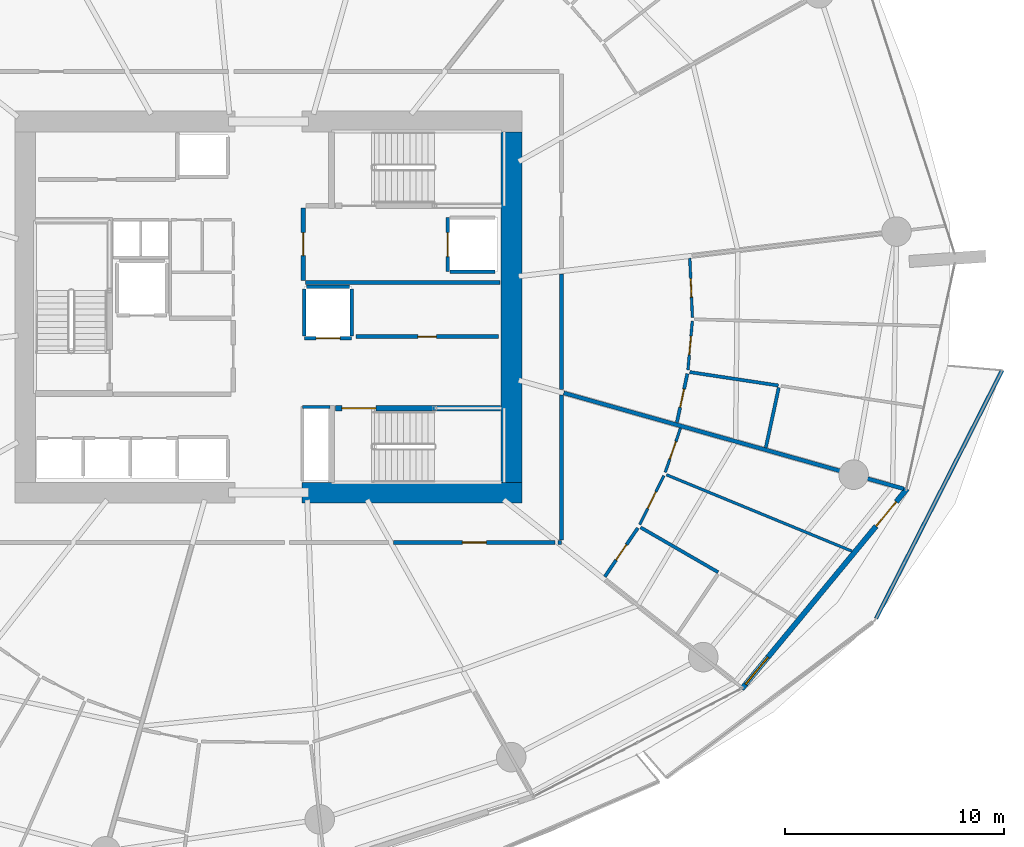
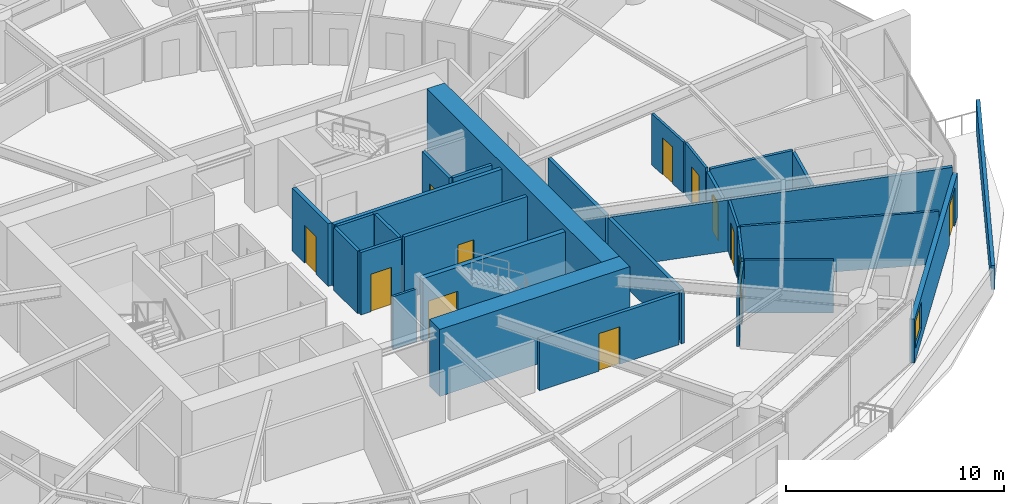
# One storey, part 21 of 31: 30 walls, 13 doors, 1 window, 14 openings.
"""IFC4 building model written with IfcOpenShell, lengths in metres."""

import ifcopenshell
import ifcopenshell.guid

model = None  # the IFC model being written
_history = None  # IfcOwnerHistory: only IFC2X3 demands one
_inside = {}  # id of a spatial element -> (the spatial element, [elements in it])
_under = {}  # id of a project, library or spatial element -> (it, [spatial elements below it])
_declared = {}  # id of a project -> (the project, [libraries it declares])
_typed = {}  # id of a type object -> (the type object, [elements of that type])
_made_of = {}  # id of a material, layer set ... -> (it, [elements and type objects made of it])


def new_model(schema):
    """Start an empty IFC model of exactly this schema.

    Asked for "IFC4X3", IfcOpenShell would pick the latest addendum, in which some entities
    have other attributes; the version numbers below select the first issue.
    IFC2X3 requires an IfcOwnerHistory on every rooted entity: one is made here for all.
    """
    global model, _history
    if schema == "IFC4X3":
        model = ifcopenshell.file(schema_version=(4, 3, 0, 0))
    else:
        model = ifcopenshell.file(schema=schema)
    _inside.clear()
    _under.clear()
    _declared.clear()
    _typed.clear()
    _made_of.clear()
    _history = None
    if model.schema == "IFC2X3":
        org = make("IfcOrganization", Name="unknown")
        user = make(
            "IfcPersonAndOrganization",
            ThePerson=make("IfcPerson", FamilyName="unknown"),
            TheOrganization=org,
        )
        app = make(
            "IfcApplication",
            ApplicationDeveloper=org,
            Version="unknown",
            ApplicationFullName="unknown",
            ApplicationIdentifier="unknown",
        )
        _history = make(
            "IfcOwnerHistory",
            OwningUser=user,
            OwningApplication=app,
            ChangeAction="ADDED",
            CreationDate=0,
        )
    return model


def make(cls, **values):
    """One entity of the class cls with the attributes given. An attribute that is None is left unset."""
    return model.create_entity(
        cls, **{name: value for name, value in values.items() if value is not None}
    )


def rooted(cls, **values):
    """An entity with a GlobalId (a new one), such as an element, a storey or a relation."""
    return make(cls, GlobalId=ifcopenshell.guid.new(), OwnerHistory=_history, **values)


def si_unit(unit_type, name, prefix=None):
    """IfcSIUnit, for example si_unit("LENGTHUNIT", "METRE", prefix="MILLI")."""
    return make("IfcSIUnit", UnitType=unit_type, Prefix=prefix, Name=name)


def assignment(units):
    """IfcUnitAssignment: the units of a project."""
    return None if units is None else make("IfcUnitAssignment", Units=units)


def point(xyz):
    """IfcCartesianPoint."""
    return None if xyz is None else make("IfcCartesianPoint", Coordinates=xyz)


def direction(xyz):
    """IfcDirection."""
    return None if xyz is None else make("IfcDirection", DirectionRatios=xyz)


def frame(location, z_axis=None, x_axis=None):
    """IfcAxis2Placement3D, a coordinate frame: its origin and axes. An axis left out is left unset."""
    return make(
        "IfcAxis2Placement3D",
        Location=point(location),
        Axis=direction(z_axis),
        RefDirection=direction(x_axis),
    )


def frame_2d(location, x_axis=None):
    """IfcAxis2Placement2D, a coordinate frame in the plane: its origin and x axis."""
    return make(
        "IfcAxis2Placement2D", Location=point(location), RefDirection=direction(x_axis)
    )


def origin():
    """The frame at (0, 0, 0) with its axes left unset."""
    return frame((0.0, 0.0, 0.0))


def place(relative_to, where):
    """IfcLocalPlacement: puts the frame where relative to a parent placement (None: the world)."""
    return make(
        "IfcLocalPlacement", PlacementRelTo=relative_to, RelativePlacement=where
    )


def context(
    kind, dimensions, precision=None, world=None, true_north=None, identifier=None
):
    """IfcGeometricRepresentationContext, for example the 3D "Model" context."""
    return make(
        "IfcGeometricRepresentationContext",
        ContextIdentifier=identifier,
        ContextType=kind,
        CoordinateSpaceDimension=dimensions,
        Precision=precision,
        WorldCoordinateSystem=world,
        TrueNorth=true_north,
    )


def subcontext(parent, identifier, kind, view, scale=None):
    """IfcGeometricRepresentationSubContext, for example "Body" below "Model"."""
    return make(
        "IfcGeometricRepresentationSubContext",
        ContextIdentifier=identifier,
        ContextType=kind,
        ParentContext=parent,
        TargetScale=scale,
        TargetView=view,
    )


def project(units=None, contexts=None):
    """IfcProject with its units and contexts."""
    return rooted(
        "IfcProject",
        Name="project",
        RepresentationContexts=contexts,
        UnitsInContext=assignment(units),
    )


def spatial(cls, under=None, at=None, **own):
    """A site, building, storey or space (cls), placed at a placement, below another one or the project."""
    s = rooted(cls, ObjectPlacement=at, **own)
    if under is not None:
        _under.setdefault(under.id(), (under, []))[1].append(s)
    return s


def polyline(points):
    """IfcPolyline through the points."""
    return make("IfcPolyline", Points=[point(p) for p in points])


def profile(cls, at=None, kind="AREA", **sizes):
    """A parametric profile (cls). Its sizes go by their IFC names, for example OverallWidth=200.0."""
    return make(cls, ProfileType=kind, Position=at, **sizes)


def rectangle(**sizes):
    """IfcRectangleProfileDef."""
    return profile("IfcRectangleProfileDef", **sizes)


def outline(outer, holes=None, kind="AREA"):
    """IfcArbitraryClosedProfileDef: a profile drawn as a closed curve; with holes, ...WithVoids."""
    if holes is None:
        return make("IfcArbitraryClosedProfileDef", ProfileType=kind, OuterCurve=outer)
    return make(
        "IfcArbitraryProfileDefWithVoids",
        ProfileType=kind,
        OuterCurve=outer,
        InnerCurves=holes,
    )


def extrude(swept, where, along, depth):
    """IfcExtrudedAreaSolid: the profile swept, set in the frame where, extruded along a direction by depth."""
    return make(
        "IfcExtrudedAreaSolid",
        SweptArea=swept,
        Position=where,
        ExtrudedDirection=direction(along),
        Depth=depth,
    )


def shape(context_of_items, identifier, shape_type, items):
    """IfcShapeRepresentation: the items that make up one representation, for example the "Body"."""
    return make(
        "IfcShapeRepresentation",
        ContextOfItems=context_of_items,
        RepresentationIdentifier=identifier,
        RepresentationType=shape_type,
        Items=items,
    )


def material(Name=None, Category=None):
    """IfcMaterial."""
    return make("IfcMaterial", Name=Name, Category=Category)


def layer(
    of_material, thickness, ventilated=None, Name=None, Category=None, Priority=None
):
    """IfcMaterialLayer: one layer of a wall or slab, of a material (None: an air gap)."""
    return make(
        "IfcMaterialLayer",
        Material=of_material,
        LayerThickness=thickness,
        IsVentilated=ventilated,
        Name=Name,
        Category=Category,
        Priority=Priority,
    )


def layer_set(layers, Name=None):
    """IfcMaterialLayerSet."""
    return make("IfcMaterialLayerSet", MaterialLayers=layers, LayerSetName=Name)


def made_of(thing, what):
    """Note that an element or type object is made of a material, layer set ...; save() writes the relation."""
    if what is not None:
        _made_of.setdefault(what.id(), (what, []))[1].append(thing)
    return thing


def type_object(cls, material=None, **own):
    """A type object (cls), such as IfcWallType, which elements share."""
    return made_of(rooted(cls, **own), material)


def element(
    cls,
    number,
    at=None,
    inside=None,
    cuts=None,
    type_object=None,
    material=None,
    context=None,
    identifier="Body",
    shape_type=None,
    held_by="IfcProductDefinitionShape",
    body=None,
    shapes=None,
    **own,
):
    """One element of the class cls, such as IfcWall. Its Tag is "e" and its number.

    at: its placement. inside: the storey or other place that contains it. cuts: it is an
    opening in that element (IfcRelVoidsElement). A single representation is given by context,
    identifier, shape_type and body (its items); several are given by shapes. held_by: the class
    of the entity that holds the representations. save() writes the other relations.
    """
    e = rooted(cls, Tag="e%d" % number, ObjectPlacement=at, **own)
    if body is not None:
        shapes = [shape(context, identifier, shape_type, body)]
    if shapes is not None:
        e.Representation = make(held_by, Representations=shapes)
    if inside is not None:
        _inside.setdefault(inside.id(), (inside, []))[1].append(e)
    if cuts is not None:
        rooted(
            "IfcRelVoidsElement", RelatingBuildingElement=cuts, RelatedOpeningElement=e
        )
    if type_object is not None:
        _typed.setdefault(type_object.id(), (type_object, []))[1].append(e)
    return made_of(e, material)


def fill(opening, filler):
    """IfcRelFillsElement: the door or window that sits in an opening."""
    return rooted(
        "IfcRelFillsElement",
        RelatingOpeningElement=opening,
        RelatedBuildingElement=filler,
    )


def aggregate(whole, parts):
    """IfcRelAggregates: a whole, such as a stair, and the parts it consists of."""
    return rooted("IfcRelAggregates", RelatingObject=whole, RelatedObjects=parts)


def save(model, path):
    """Write the relations noted so far, then the file.

    IfcRelAggregates (storeys below a building ...), IfcRelContainedInSpatialStructure (elements
    in a storey), IfcRelDefinesByType, IfcRelAssociatesMaterial and IfcRelDeclares: one each for
    every whole, place, type object, material and project.
    """
    for whole, parts in _under.values():
        aggregate(whole, parts)
    for where, things in _inside.values():
        rooted(
            "IfcRelContainedInSpatialStructure",
            RelatedElements=things,
            RelatingStructure=where,
        )
    for kind, things in _typed.values():
        rooted("IfcRelDefinesByType", RelatedObjects=things, RelatingType=kind)
    for what, things in _made_of.values():
        rooted("IfcRelAssociatesMaterial", RelatedObjects=things, RelatingMaterial=what)
    for by, libraries in _declared.values():
        rooted("IfcRelDeclares", RelatingContext=by, RelatedDefinitions=libraries)
    model.write(path)


model = new_model("IFC4")

# Units and contexts
model_context = context("Model", 3, precision=1e-05, world=origin(), true_north=direction((0.0, 1.0)))
body_context = subcontext(model_context, "Body", "Model", "MODEL_VIEW")
ifc_project = project(units=[si_unit("LENGTHUNIT", "METRE"), si_unit("AREAUNIT", "SQUARE_METRE"), si_unit("VOLUMEUNIT", "CUBIC_METRE"), si_unit("PLANEANGLEUNIT", "RADIAN"), si_unit("MASSUNIT", "GRAM", prefix="KILO")], contexts=[model_context])

# Site, building, storey
site_placement = place(None, origin())
site = spatial("IfcSite", under=ifc_project, at=site_placement, CompositionType="ELEMENT")
building_placement = place(site_placement, origin())
building = spatial("IfcBuilding", under=site, at=building_placement, Name="Kazma Halo Residences", CompositionType="ELEMENT")
storey_placement = place(building_placement, frame((0.0, 0.0, 52.64990234375)))
storey = spatial("IfcBuildingStorey", under=building, at=storey_placement, Name="L12", CompositionType="ELEMENT", Elevation=52.64990234375)

# Walls
ifc_material_1 = material(Name="White Concrete C50/60 Balustrade", Category="concrete")
ifc_layer_1 = layer(ifc_material_1, 0.179931640625)
ifc_layer_set_1 = layer_set([ifc_layer_1], Name="White Concrete C50/60 Balustrade")
wall_type_1 = type_object("IfcWallType", Name="WL-BAL-WAVE-180", PredefinedType="PARAPET", material=ifc_layer_set_1)
wall_1_placement = place(storey_placement, frame((76.16650390625, 27.783203125, 0.0), z_axis=(0.0, 0.0, 1.0), x_axis=(0.452795448166, 0.891614424581, 0.0)))
element("IfcWall", 1, at=wall_1_placement, inside=storey, type_object=wall_type_1, Name="L12 white wave balustrade wall SE.2", PredefinedType="PARAPET", context=body_context, shape_type="SweptSolid", body=[
    extrude(outline(polyline([(0.0, 0.0), (12.716796875, 0.0), (12.716796875, 1.7470703125), (6.3583984375, 1.56201171875), (0.0, 1.34814453125), (0.0, 0.0)])), frame((0.0, 0.08984375, 0.0), z_axis=(0.0, -1.0, 0.0), x_axis=(1.0, 0.0, 0.0)), (0.0, 0.0, 1.0), 0.179931640625),
])
ifc_material_2 = material(Name="Concrete C80/95", Category="concrete")
ifc_layer_2 = layer(ifc_material_2, 0.949951171875)
ifc_layer_set_2 = layer_set([ifc_layer_2], Name="Concrete C80/95")
wall_type_2 = type_object("IfcWallType", Name="WL-CORE-950", PredefinedType="SHEAR", material=ifc_layer_set_2)
wall_2_placement = place(storey_placement, frame((49.949951171875, 33.52490234375, 0.0), z_axis=(0.0, 0.0, 1.0), x_axis=(1.0, 0.0, 0.0)))
element("IfcWall", 2, at=wall_2_placement, inside=storey, type_object=wall_type_2, Name="L12 central core shear wall SE", PredefinedType="SHEAR", context=body_context, shape_type="SweptSolid", body=[
    extrude(rectangle(XDim=10.050048828125, YDim=0.949951171875, at=frame_2d((5.02490234375, 0.0))), origin(), (0.0, 0.0, 1.0), 3.75),
])
wall_3_placement = place(storey_placement, frame((59.52490234375, 34.0, 0.0), z_axis=(0.0, 0.0, 1.0), x_axis=(0.0, 1.0, 0.0)))
element("IfcWall", 3, at=wall_3_placement, inside=storey, type_object=wall_type_2, Name="L12 central core shear wall E", PredefinedType="SHEAR", context=body_context, shape_type="SweptSolid", body=[
    extrude(rectangle(XDim=16.0, YDim=0.949951171875, at=frame_2d((8.0, 0.0))), origin(), (0.0, 0.0, 1.0), 3.75),
])
ifc_material_3 = material(Name="Acoustic Twin-Stud Gypsum")
ifc_layer_3 = layer(ifc_material_3, 0.179931640625)
ifc_layer_set_3 = layer_set([ifc_layer_3], Name="Acoustic Twin-Stud Gypsum")
wall_type_3 = type_object("IfcWallType", Name="WL-DEM-180", PredefinedType="PARTITIONING", material=ifc_layer_set_3)
wall_4_placement = place(storey_placement, frame((61.906005859375, 38.078125, 0.0), z_axis=(0.0, 0.0, 1.0), x_axis=(0.962455862511, -0.271438230022, 0.0)))
element("IfcWall", 4, at=wall_4_placement, inside=storey, type_object=wall_type_3, Name="L12 apartment demising radial wall 14", PredefinedType="PARTITIONING", context=body_context, shape_type="SweptSolid", body=[
    extrude(rectangle(XDim=16.1259765625, YDim=0.179931640625, at=frame_2d((8.06298828125, 0.0))), origin(), (0.0, 0.0, 1.0), 2.8671875),
])

# Wall, opening, door
wall_5_placement = place(storey_placement, frame((54.140380859375, 31.25, 0.0), z_axis=(0.0, 0.0, 1.0), x_axis=(1.0, 0.0, 0.0)))
wall_5 = element("IfcWall", 5, at=wall_5_placement, inside=storey, type_object=wall_type_3, Name="L12 Apartment 3 entrance corridor wall", PredefinedType="PARTITIONING", context=body_context, shape_type="SweptSolid", body=[
    extrude(rectangle(XDim=7.3759765625, YDim=0.179931640625, at=frame_2d((3.68798828125, 0.0))), origin(), (0.0, 0.0, 1.0), 2.8671875),
])
opening_1_placement = place(wall_5_placement, frame((3.137939453125, 0.0, 0.0)))
opening_1 = element("IfcOpeningElement", 6, at=opening_1_placement, cuts=wall_5, Name="Opening DA-1100", PredefinedType="OPENING", context=body_context, shape_type="SweptSolid", body=[
    extrude(rectangle(XDim=1.10009765625, YDim=2.10009765625, at=frame_2d((0.550048828125, 1.050048828125))), frame((0.0, 0.099853515625, 0.0), z_axis=(0.0, -1.0, 0.0), x_axis=(1.0, 0.0, 0.0)), (0.0, 0.0, 1.0), 0.199951171875),
])
ifc_material_4 = material(Name="Acoustic Walnut Fire Leaf")
door_type_1 = type_object("IfcDoorType", Name="DR-FD60-1100", OperationType="NOTDEFINED", PredefinedType="DOOR", material=ifc_material_4)
door_1_placement = place(opening_1_placement, origin())
door_1 = element("IfcDoor", 7, at=door_1_placement, inside=storey, type_object=door_type_1, Name="L12 Apartment 3 entrance fire door", OperationType="SINGLE_SWING_RIGHT", OverallHeight=2.10009765625, OverallWidth=1.10009765625, PredefinedType="DOOR", context=body_context, shape_type="SweptSolid", body=[
    extrude(rectangle(XDim=1.10009765625, YDim=2.10009765625, at=frame_2d((0.550048828125, 1.050048828125))), frame((0.0, 0.02490234375, 0.0), z_axis=(0.0, -1.0, 0.0), x_axis=(1.0, 0.0, 0.0)), (0.0, 0.0, 1.0), 0.050048828125),
])
fill(opening_1, door_1)

# Walls
wall_6_placement = place(storey_placement, frame((61.63623046875, 31.25, 0.0), z_axis=(0.0, 0.0, 1.0), x_axis=(1.0, 0.0, 0.0)))
element("IfcWall", 8, at=wall_6_placement, inside=storey, type_object=wall_type_3, Name="L12 Apartment 3 inner wall 13", PredefinedType="PARTITIONING", context=body_context, shape_type="SweptSolid", body=[
    extrude(rectangle(XDim=0.163818359375, YDim=0.179931640625, at=frame_2d((0.08203125, 0.0))), origin(), (0.0, 0.0, 1.0), 2.8671875),
])
wall_7_placement = place(storey_placement, frame((61.800048828125, 31.3701171875, 0.0), z_axis=(0.0, 0.0, 1.0), x_axis=(0.0, 1.0, 0.0)))
element("IfcWall", 9, at=wall_7_placement, inside=storey, type_object=wall_type_3, Name="L12 Apartment 3 inner wall 13", PredefinedType="PARTITIONING", context=body_context, shape_type="SweptSolid", body=[
    extrude(rectangle(XDim=6.617919921875, YDim=0.179931640625, at=frame_2d((3.30908203125, 0.0))), origin(), (0.0, 0.0, 1.0), 2.8671875),
])
wall_8_placement = place(storey_placement, frame((61.800048828125, 38.22802734375, 0.0), z_axis=(0.0, 0.0, 1.0), x_axis=(0.0, 1.0, 0.0)))
element("IfcWall", 10, at=wall_8_placement, inside=storey, type_object=wall_type_3, Name="L12 Apartment 4 inner wall 14", PredefinedType="PARTITIONING", context=body_context, shape_type="SweptSolid", body=[
    extrude(rectangle(XDim=5.28515625, YDim=0.179931640625, at=frame_2d((2.642578125, 0.0))), origin(), (0.0, 0.0, 1.0), 2.8671875),
])

# Wall, openings, door, window
ifc_material_5 = material(Name="Insulated Pale-Metal Composite Wall")
ifc_layer_4 = layer(ifc_material_5, 0.239990234375)
ifc_layer_set_4 = layer_set([ifc_layer_4], Name="Insulated Pale-Metal Composite Wall")
wall_type_4 = type_object("IfcWallType", Name="WL-EXT-HOST-240", PredefinedType="SOLIDWALL", material=ifc_layer_set_4)
wall_9_placement = place(storey_placement, frame((70.033203125, 24.566650390625, 0.0), z_axis=(0.0, 0.0, 1.0), x_axis=(0.636674332663, 0.771132799281, 0.0)))
wall_9 = element("IfcWall", 11, at=wall_9_placement, inside=storey, type_object=wall_type_4, Name="L12 exterior terrace-access wall B14", PredefinedType="SOLIDWALL", context=body_context, shape_type="SweptSolid", body=[
    extrude(rectangle(XDim=11.851318359375, YDim=0.239990234375, at=frame_2d((5.92578125, 0.0))), origin(), (0.0, 0.0, 1.0), 2.4501953125),
])
opening_2_placement = place(wall_9_placement, frame((9.631103515625, 0.0, 0.0)))
opening_2 = element("IfcOpeningElement", 12, at=opening_2_placement, cuts=wall_9, Name="Opening DTR-1600", PredefinedType="OPENING", context=body_context, shape_type="SweptSolid", body=[
    extrude(rectangle(XDim=1.449951171875, YDim=2.14990234375, at=frame_2d((0.72509765625, 1.074951171875))), frame((0.0, 0.1298828125, 0.0), z_axis=(0.0, -1.0, 0.0), x_axis=(1.0, 0.0, 0.0)), (0.0, 0.0, 1.0), 0.260009765625),
])
opening_3_placement = place(wall_9_placement, frame((0.280029296875, 0.0, 0.64990234375)))
opening_3 = element("IfcOpeningElement", 13, at=opening_3_placement, cuts=wall_9, Name="Opening W-1800", PredefinedType="OPENING", context=body_context, shape_type="SweptSolid", body=[
    extrude(rectangle(XDim=1.60009765625, YDim=1.5, at=frame_2d((0.800048828125, 0.75))), frame((0.0, 0.1298828125, 0.0), z_axis=(0.0, -1.0, 0.0), x_axis=(1.0, 0.0, 0.0)), (0.0, 0.0, 1.0), 0.260009765625),
])
ifc_material_6 = material(Name="Aluminium AW-6063 T6 Double-Glazed Terrace Door", Category="aluminium")
door_type_2 = type_object("IfcDoorType", Name="DR-EXT-TERR-1600", OperationType="NOTDEFINED", PredefinedType="DOOR", material=ifc_material_6)
door_2_placement = place(opening_2_placement, origin())
door_2 = element("IfcDoor", 14, at=door_2_placement, inside=storey, type_object=door_type_2, Name="L12 B14 balcony terrace door", OperationType="DOUBLE_DOOR_SLIDING", OverallHeight=2.14990234375, OverallWidth=1.449951171875, PredefinedType="DOOR", context=body_context, shape_type="SweptSolid", body=[
    extrude(rectangle(XDim=1.449951171875, YDim=2.14990234375, at=frame_2d((0.72509765625, 1.074951171875))), frame((0.0, 0.02490234375, 0.0), z_axis=(0.0, -1.0, 0.0), x_axis=(1.0, 0.0, 0.0)), (0.0, 0.0, 1.0), 0.050048828125),
])
fill(opening_2, door_2)
ifc_material_7 = material(Name="Clear Triple-Silver Low-E Glass in Aluminium AW-6063 T6 Frame", Category="aluminium")
window_type = type_object("IfcWindowType", Name="WIN-RES-1800", PartitioningType="DOUBLE_PANEL_VERTICAL", PredefinedType="WINDOW", material=ifc_material_7)
window_placement = place(opening_3_placement, origin())
window = element("IfcWindow", 15, at=window_placement, inside=storey, type_object=window_type, Name="L12 B14 apartment window", OverallHeight=1.5, OverallWidth=1.60009765625, PartitioningType="SINGLE_PANEL", PredefinedType="WINDOW", context=body_context, shape_type="SweptSolid", body=[
    extrude(rectangle(XDim=1.60009765625, YDim=1.5, at=frame_2d((0.800048828125, 0.75))), frame((0.0, 0.030029296875, 0.0), z_axis=(0.0, -1.0, 0.0), x_axis=(1.0, 0.0, 0.0)), (0.0, 0.0, 1.0), 0.06005859375),
])
fill(opening_3, window)

# Wall, opening, door
ifc_material_8 = material(Name="Fire-Rated Blockwork Masonry", Category="masonry")
ifc_layer_5 = layer(ifc_material_8, 0.199951171875)
ifc_layer_set_5 = layer_set([ifc_layer_5], Name="Fire-Rated Blockwork Masonry")
wall_type_5 = type_object("IfcWallType", Name="WL-FLB-200", PredefinedType="PARTITIONING", material=ifc_layer_set_5)
wall_10_placement = place(storey_placement, frame((56.6201171875, 46.080078125, 0.0), z_axis=(0.0, 0.0, 1.0), x_axis=(0.0, -1.0, 0.0)))
wall_10 = element("IfcWall", 16, at=wall_10_placement, inside=storey, type_object=wall_type_5, Name="L12 lift shaft FL-02 front wall", PredefinedType="PARTITIONING", context=body_context, shape_type="SweptSolid", body=[
    extrude(rectangle(XDim=2.4599609375, YDim=0.159912109375, at=frame_2d((1.22998046875, 0.0))), origin(), (0.0, 0.0, 1.0), 3.5),
])
opening_4_placement = place(wall_10_placement, frame((0.679931640625, 0.0, 0.0)))
opening_4 = element("IfcOpeningElement", 17, at=opening_4_placement, cuts=wall_10, Name="Opening LD-FL-02", PredefinedType="OPENING", context=body_context, shape_type="SweptSolid", body=[
    extrude(rectangle(XDim=1.10009765625, YDim=2.10009765625, at=frame_2d((0.550048828125, 1.050048828125))), frame((0.0, 0.08984375, 0.0), z_axis=(0.0, -1.0, 0.0), x_axis=(1.0, 0.0, 0.0)), (0.0, 0.0, 1.0), 0.179931640625),
])
ifc_material_9 = material(Name="Stainless Steel Fire-Rated", Category="steel")
door_type_3 = type_object("IfcDoorType", Name="DR-LIFT-SLD-1100", OperationType="DOUBLE_DOOR_SLIDING", PredefinedType="DOOR", material=ifc_material_9)
door_3_placement = place(opening_4_placement, origin())
door_3 = element("IfcDoor", 18, at=door_3_placement, inside=storey, type_object=door_type_3, Name="L12 lift FL-02 sliding landing door", OperationType="DOUBLE_DOOR_SLIDING", OverallHeight=2.10009765625, OverallWidth=1.10009765625, PredefinedType="DOOR", context=body_context, shape_type="SweptSolid", body=[
    extrude(rectangle(XDim=1.10009765625, YDim=2.10009765625, at=frame_2d((0.550048828125, 1.050048828125))), frame((0.0, 0.02490234375, 0.0), z_axis=(0.0, -1.0, 0.0), x_axis=(1.0, 0.0, 0.0)), (0.0, 0.0, 1.0), 0.050048828125),
])
fill(opening_4, door_3)

# Wall
wall_11_placement = place(storey_placement, frame((56.719970703125, 43.6201171875, 0.0), z_axis=(0.0, 0.0, 1.0), x_axis=(1.0, 0.0, 0.0)))
element("IfcWall", 19, at=wall_11_placement, inside=storey, type_object=wall_type_5, Name="L12 lift shaft FL-02 side wall S", PredefinedType="PARTITIONING", context=body_context, shape_type="SweptSolid", body=[
    extrude(rectangle(XDim=2.06005859375, YDim=0.159912109375, at=frame_2d((1.030029296875, 0.0))), origin(), (0.0, 0.0, 1.0), 3.5),
])

# Wall, opening, door
wall_12_placement = place(storey_placement, frame((52.22998046875, 40.570068359375, 0.0), z_axis=(0.0, 0.0, 1.0), x_axis=(-1.0, 0.0, 0.0)))
wall_12 = element("IfcWall", 20, at=wall_12_placement, inside=storey, type_object=wall_type_5, Name="L12 lift shaft SV-01 front wall", PredefinedType="PARTITIONING", context=body_context, shape_type="SweptSolid", body=[
    extrude(rectangle(XDim=2.159912109375, YDim=0.159912109375, at=frame_2d((1.080078125, 0.0))), origin(), (0.0, 0.0, 1.0), 3.5),
])
opening_5_placement = place(wall_12_placement, frame((0.530029296875, 0.0, 0.0)))
opening_5 = element("IfcOpeningElement", 21, at=opening_5_placement, cuts=wall_12, Name="Opening LD-SV-01", PredefinedType="OPENING", context=body_context, shape_type="SweptSolid", body=[
    extrude(rectangle(XDim=1.10009765625, YDim=2.10009765625, at=frame_2d((0.550048828125, 1.050048828125))), frame((0.0, 0.08984375, 0.0), z_axis=(0.0, -1.0, 0.0), x_axis=(1.0, 0.0, 0.0)), (0.0, 0.0, 1.0), 0.179931640625),
])
door_4_placement = place(opening_5_placement, origin())
door_4 = element("IfcDoor", 22, at=door_4_placement, inside=storey, type_object=door_type_3, Name="L12 lift SV-01 sliding landing door", OperationType="DOUBLE_DOOR_SLIDING", OverallHeight=2.10009765625, OverallWidth=1.10009765625, PredefinedType="DOOR", context=body_context, shape_type="SweptSolid", body=[
    extrude(rectangle(XDim=1.10009765625, YDim=2.10009765625, at=frame_2d((0.550048828125, 1.050048828125))), frame((0.0, 0.02490234375, 0.0), z_axis=(0.0, -1.0, 0.0), x_axis=(1.0, 0.0, 0.0)), (0.0, 0.0, 1.0), 0.050048828125),
])
fill(opening_5, door_4)

# Walls
for number, where, z_axis, x_axis, name in (
    (23, (52.22998046875, 40.669921875, 0.0), (0.0, 0.0, 1.0), (0.0, 1.0, 0.0), "L12 lift shaft SV-01 side wall E"),
    (24, (50.070068359375, 40.669921875, 0.0), (0.0, 0.0, 1.0), (0.0, 1.0, 0.0), "L12 lift shaft SV-01 side wall W"),
):
    element("IfcWall", number, at=place(storey_placement, frame(where, z_axis=z_axis, x_axis=x_axis)), inside=storey, type_object=wall_type_5, Name=name, PredefinedType="PARTITIONING", context=body_context, shape_type="SweptSolid", body=[
        extrude(rectangle(XDim=2.16015625, YDim=0.159912109375, at=frame_2d((1.080078125, 0.0))), origin(), (0.0, 0.0, 1.0), 3.5),
    ])
wall_13_placement = place(storey_placement, frame((50.169921875, 42.929931640625, 0.0), z_axis=(0.0, 0.0, 1.0), x_axis=(1.0, 0.0, 0.0)))
element("IfcWall", 25, at=wall_13_placement, inside=storey, type_object=wall_type_5, Name="L12 lift shaft SV-01 side wall N", PredefinedType="PARTITIONING", context=body_context, shape_type="SweptSolid", body=[
    extrude(rectangle(XDim=1.9599609375, YDim=0.159912109375, at=frame_2d((0.97998046875, 0.0))), origin(), (0.0, 0.0, 1.0), 3.5),
])

# Wall, opening, door
wall_14_placement = place(storey_placement, frame((52.419921875, 40.64990234375, 0.0), z_axis=(0.0, 0.0, 1.0), x_axis=(1.0, 0.0, 0.0)))
wall_14 = element("IfcWall", 26, at=wall_14_placement, inside=storey, type_object=wall_type_5, Name="L12 core east reserve wall", PredefinedType="PARTITIONING", context=body_context, shape_type="SweptSolid", body=[
    extrude(rectangle(XDim=6.5, YDim=0.179931640625, at=frame_2d((3.25, 0.0))), origin(), (0.0, 0.0, 1.0), 3.5),
])
opening_6_placement = place(wall_14_placement, frame((2.824951171875, 0.0, 0.0)))
opening_6 = element("IfcOpeningElement", 27, at=opening_6_placement, cuts=wall_14, Name="Opening DS-850", PredefinedType="OPENING", context=body_context, shape_type="SweptSolid", body=[
    extrude(rectangle(XDim=0.85009765625, YDim=2.06005859375, at=frame_2d((0.425048828125, 1.030029296875))), frame((0.0, 0.099853515625, 0.0), z_axis=(0.0, -1.0, 0.0), x_axis=(1.0, 0.0, 0.0)), (0.0, 0.0, 1.0), 0.199951171875),
])
ifc_material_10 = material(Name="Painted Steel Access Leaf", Category="steel")
door_type_4 = type_object("IfcDoorType", Name="DR-SVC-850", OperationType="NOTDEFINED", PredefinedType="DOOR", material=ifc_material_10)
door_5_placement = place(opening_6_placement, origin())
door_5 = element("IfcDoor", 28, at=door_5_placement, inside=storey, type_object=door_type_4, Name="L12 core east reserve door", OperationType="SINGLE_SWING_LEFT", OverallHeight=2.06005859375, OverallWidth=0.85009765625, PredefinedType="DOOR", context=body_context, shape_type="SweptSolid", body=[
    extrude(rectangle(XDim=0.85009765625, YDim=2.06005859375, at=frame_2d((0.425048828125, 1.030029296875))), frame((0.0, 0.02490234375, 0.0), z_axis=(0.0, -1.0, 0.0), x_axis=(1.0, 0.0, 0.0)), (0.0, 0.0, 1.0), 0.050048828125),
])
fill(opening_6, door_5)

# Wall
wall_15_placement = place(storey_placement, frame((50.1201171875, 43.1201171875, 0.0), z_axis=(0.0, 0.0, 1.0), x_axis=(1.0, 0.0, 0.0)))
element("IfcWall", 29, at=wall_15_placement, inside=storey, type_object=wall_type_5, Name="L12 east firefighting lobby south smoke wall", PredefinedType="PARTITIONING", context=body_context, shape_type="SweptSolid", body=[
    extrude(rectangle(XDim=8.8798828125, YDim=0.199951171875, at=frame_2d((4.43994140625, 0.0))), origin(), (0.0, 0.0, 1.0), 3.5),
])

# Wall, opening, door
wall_16_placement = place(storey_placement, frame((50.02001953125, 43.219970703125, 0.0), z_axis=(0.0, 0.0, 1.0), x_axis=(0.0, 1.0, 0.0)))
wall_16 = element("IfcWall", 30, at=wall_16_placement, inside=storey, type_object=wall_type_5, Name="L12 east firefighting lobby smoke wall", PredefinedType="PARTITIONING", context=body_context, shape_type="SweptSolid", body=[
    extrude(rectangle(XDim=3.300048828125, YDim=0.199951171875, at=frame_2d((1.64990234375, 0.0))), origin(), (0.0, 0.0, 1.0), 3.5),
])
opening_7_placement = place(wall_16_placement, frame((1.125, 0.0, 0.0)))
opening_7 = element("IfcOpeningElement", 31, at=opening_7_placement, cuts=wall_16, Name="Opening D-FLE", PredefinedType="OPENING", context=body_context, shape_type="SweptSolid", body=[
    extrude(rectangle(XDim=1.050048828125, YDim=2.10009765625, at=frame_2d((0.52490234375, 1.050048828125))), frame((0.0, 0.10986328125, 0.0), z_axis=(0.0, -1.0, 0.0), x_axis=(1.0, 0.0, 0.0)), (0.0, 0.0, 1.0), 0.219970703125),
])
ifc_material_11 = material(Name="Fire-Rated Steel Leaf", Category="steel")
door_type_5 = type_object("IfcDoorType", Name="DR-FD90-1050", OperationType="NOTDEFINED", PredefinedType="DOOR", material=ifc_material_11)
door_6_placement = place(opening_7_placement, origin())
door_6 = element("IfcDoor", 32, at=door_6_placement, inside=storey, type_object=door_type_5, Name="L12 east firefighting lobby smoke door", OperationType="SINGLE_SWING_RIGHT", OverallHeight=2.10009765625, OverallWidth=1.050048828125, PredefinedType="DOOR", context=body_context, shape_type="SweptSolid", body=[
    extrude(rectangle(XDim=1.050048828125, YDim=2.10009765625, at=frame_2d((0.52490234375, 1.050048828125))), frame((0.0, 0.02490234375, 0.0), z_axis=(0.0, -1.0, 0.0), x_axis=(1.0, 0.0, 0.0)), (0.0, 0.0, 1.0), 0.050048828125),
])
fill(opening_7, door_6)

# Walls
ifc_material_12 = material(Name="Gypsum Plasterboard Partition")
ifc_layer_6 = layer(ifc_material_12, 0.125)
ifc_layer_set_6 = layer_set([ifc_layer_6], Name="Gypsum Plasterboard Partition")
wall_type_6 = type_object("IfcWallType", Name="WL-PART-125", PredefinedType="PARTITIONING", material=ifc_layer_set_6)
wall_17_placement = place(storey_placement, frame((49.97998046875, 37.43994140625, 0.0), z_axis=(0.0, 0.0, 1.0), x_axis=(1.0, 0.0, 0.0)))
element("IfcWall", 33, at=wall_17_placement, inside=storey, type_object=wall_type_6, Name="L12 standpipe riser north wall", PredefinedType="PARTITIONING", context=body_context, shape_type="SweptSolid", body=[
    extrude(rectangle(XDim=1.260009765625, YDim=0.125, at=frame_2d((0.6298828125, 0.0))), origin(), (0.0, 0.0, 1.0), 2.940185546875),
])
wall_18_placement = place(storey_placement, frame((66.59765625, 34.3408203125, 0.0), z_axis=(0.0, 0.0, 1.0), x_axis=(0.9246609872, -0.380791358556, 0.0)))
element("IfcWall", 34, at=wall_18_placement, inside=storey, type_object=wall_type_6, Name="L12 Apartment 3 suite divider 13", PredefinedType="PARTITIONING", context=body_context, shape_type="SweptSolid", body=[
    extrude(rectangle(XDim=9.16064453125, YDim=0.125, at=frame_2d((4.580322265625, 0.0))), origin(), (0.0, 0.0, 1.0), 2.940185546875),
])

# Wall, opening, door
wall_19_placement = place(storey_placement, frame((65.37744140625, 32.064697265625, 0.0), z_axis=(0.0, 0.0, 1.0), x_axis=(0.441490145673, 0.897266098364, 0.0)))
wall_19 = element("IfcWall", 35, at=wall_19_placement, inside=storey, type_object=wall_type_6, Name="L12 Apartment 3 South Private Study hall wall", PredefinedType="PARTITIONING", context=body_context, shape_type="SweptSolid", body=[
    extrude(rectangle(XDim=2.4951171875, YDim=0.125, at=frame_2d((1.24755859375, 0.0))), origin(), (0.0, 0.0, 1.0), 2.940185546875),
])
opening_8_placement = place(wall_19_placement, frame((0.822509765625, 0.0, 0.0)))
opening_8 = element("IfcOpeningElement", 36, at=opening_8_placement, cuts=wall_19, Name="Opening DB-900", PredefinedType="OPENING", context=body_context, shape_type="SweptSolid", body=[
    extrude(rectangle(XDim=0.85009765625, YDim=2.06005859375, at=frame_2d((0.425048828125, 1.030029296875))), frame((0.0, 0.072509765625, 0.0), z_axis=(0.0, -1.0, 0.0), x_axis=(1.0, 0.0, 0.0)), (0.0, 0.0, 1.0), 0.14501953125),
])
ifc_material_13 = material(Name="Moisture-Sealed Timber Leaf", Category="wood")
door_type_6 = type_object("IfcDoorType", Name="DR-BTH-900", OperationType="NOTDEFINED", PredefinedType="DOOR", material=ifc_material_13)
door_7_placement = place(opening_8_placement, origin())
door_7 = element("IfcDoor", 37, at=door_7_placement, inside=storey, type_object=door_type_6, Name="L12 Apartment 3 South Private Study door", OperationType="SINGLE_SWING_RIGHT", OverallHeight=2.06005859375, OverallWidth=0.85009765625, PredefinedType="DOOR", context=body_context, shape_type="SweptSolid", body=[
    extrude(rectangle(XDim=0.85009765625, YDim=2.06005859375, at=frame_2d((0.425048828125, 1.030029296875))), frame((0.0, 0.02490234375, 0.0), z_axis=(0.0, -1.0, 0.0), x_axis=(1.0, 0.0, 0.0)), (0.0, 0.0, 1.0), 0.050048828125),
])
fill(opening_8, door_7)

wall_20_placement = place(storey_placement, frame((66.54052734375, 34.45068359375, 0.0), z_axis=(0.0, 0.0, 1.0), x_axis=(0.326627883033, 0.945153017255, 0.0)))
wall_20 = element("IfcWall", 38, at=wall_20_placement, inside=storey, type_object=wall_type_6, Name="L12 Apartment 3 Inner Master Bedroom hall wall", PredefinedType="PARTITIONING", context=body_context, shape_type="SweptSolid", body=[
    extrude(rectangle(XDim=2.136962890625, YDim=0.125, at=frame_2d((1.068359375, 0.0))), origin(), (0.0, 0.0, 1.0), 2.8671875),
])
opening_9_placement = place(wall_20_placement, frame((0.643310546875, 0.0, 0.0)))
opening_9 = element("IfcOpeningElement", 39, at=opening_9_placement, cuts=wall_20, Name="Opening DB-900", PredefinedType="OPENING", context=body_context, shape_type="SweptSolid", body=[
    extrude(rectangle(XDim=0.85009765625, YDim=2.06005859375, at=frame_2d((0.425048828125, 1.030029296875))), frame((0.0, 0.072509765625, 0.0), z_axis=(0.0, -1.0, 0.0), x_axis=(1.0, 0.0, 0.0)), (0.0, 0.0, 1.0), 0.14501953125),
])
door_8_placement = place(opening_9_placement, origin())
door_8 = element("IfcDoor", 40, at=door_8_placement, inside=storey, type_object=door_type_6, Name="L12 Apartment 3 Inner Master Bedroom door", OperationType="SINGLE_SWING_LEFT", OverallHeight=2.06005859375, OverallWidth=0.85009765625, PredefinedType="DOOR", context=body_context, shape_type="SweptSolid", body=[
    extrude(rectangle(XDim=0.85009765625, YDim=2.06005859375, at=frame_2d((0.425048828125, 1.030029296875))), frame((0.0, 0.02490234375, 0.0), z_axis=(0.0, -1.0, 0.0), x_axis=(1.0, 0.0, 0.0)), (0.0, 0.0, 1.0), 0.050048828125),
])
fill(opening_9, door_8)

wall_21_placement = place(storey_placement, frame((67.57861328125, 39.131591796875, 0.0), z_axis=(0.0, 0.0, 1.0), x_axis=(0.089032328007, 0.996028736819, 0.0)))
wall_21 = element("IfcWall", 41, at=wall_21_placement, inside=storey, type_object=wall_type_6, Name="L12 Apartment 4 Gourmet Kitchen hall wall", PredefinedType="PARTITIONING", context=body_context, shape_type="SweptSolid", body=[
    extrude(rectangle(XDim=2.240234375, YDim=0.125, at=frame_2d((1.1201171875, 0.0))), origin(), (0.0, 0.0, 1.0), 2.940185546875),
])
opening_10_placement = place(wall_21_placement, frame((0.6953125, 0.0, 0.0)))
opening_10 = element("IfcOpeningElement", 42, at=opening_10_placement, cuts=wall_21, Name="Opening DB-900", PredefinedType="OPENING", context=body_context, shape_type="SweptSolid", body=[
    extrude(rectangle(XDim=0.85009765625, YDim=2.06005859375, at=frame_2d((0.425048828125, 1.030029296875))), frame((0.0, 0.072509765625, 0.0), z_axis=(0.0, -1.0, 0.0), x_axis=(1.0, 0.0, 0.0)), (0.0, 0.0, 1.0), 0.14501953125),
])
door_9_placement = place(opening_10_placement, origin())
door_9 = element("IfcDoor", 43, at=door_9_placement, inside=storey, type_object=door_type_6, Name="L12 Apartment 4 Gourmet Kitchen door", OperationType="SINGLE_SWING_LEFT", OverallHeight=2.06005859375, OverallWidth=0.85009765625, PredefinedType="DOOR", context=body_context, shape_type="SweptSolid", body=[
    extrude(rectangle(XDim=0.85009765625, YDim=2.06005859375, at=frame_2d((0.425048828125, 1.030029296875))), frame((0.0, 0.02490234375, 0.0), z_axis=(0.0, -1.0, 0.0), x_axis=(1.0, 0.0, 0.0)), (0.0, 0.0, 1.0), 0.050048828125),
])
fill(opening_10, door_9)

wall_22_placement = place(storey_placement, frame((67.781494140625, 41.522705078125, 0.0), z_axis=(0.0, 0.0, 1.0), x_axis=(-0.044740706283, 0.998998633233, 0.0)))
wall_22 = element("IfcWall", 44, at=wall_22_placement, inside=storey, type_object=wall_type_6, Name="L12 Apartment 4 Master Bedroom hall wall", PredefinedType="PARTITIONING", context=body_context, shape_type="SweptSolid", body=[
    extrude(rectangle(XDim=2.70654296875, YDim=0.125, at=frame_2d((1.353271484375, 0.0))), origin(), (0.0, 0.0, 1.0), 2.8671875),
])
opening_11_placement = place(wall_22_placement, frame((0.92822265625, 0.0, 0.0)))
opening_11 = element("IfcOpeningElement", 45, at=opening_11_placement, cuts=wall_22, Name="Opening DB-900", PredefinedType="OPENING", context=body_context, shape_type="SweptSolid", body=[
    extrude(rectangle(XDim=0.85009765625, YDim=2.06005859375, at=frame_2d((0.425048828125, 1.030029296875))), frame((0.0, 0.072509765625, 0.0), z_axis=(0.0, -1.0, 0.0), x_axis=(1.0, 0.0, 0.0)), (0.0, 0.0, 1.0), 0.14501953125),
])
door_10_placement = place(opening_11_placement, origin())
door_10 = element("IfcDoor", 46, at=door_10_placement, inside=storey, type_object=door_type_6, Name="L12 Apartment 4 Master Bedroom door", OperationType="SINGLE_SWING_RIGHT", OverallHeight=2.06005859375, OverallWidth=0.85009765625, PredefinedType="DOOR", context=body_context, shape_type="SweptSolid", body=[
    extrude(rectangle(XDim=0.85009765625, YDim=2.06005859375, at=frame_2d((0.425048828125, 1.030029296875))), frame((0.0, 0.02490234375, 0.0), z_axis=(0.0, -1.0, 0.0), x_axis=(1.0, 0.0, 0.0)), (0.0, 0.0, 1.0), 0.050048828125),
])
fill(opening_11, door_10)

ifc_material_14 = material(Name="Concrete C50/60", Category="concrete")
ifc_layer_7 = layer(ifc_material_14, 0.25)
ifc_layer_set_7 = layer_set([ifc_layer_7], Name="Concrete C50/60")
wall_type_7 = type_object("IfcWallType", Name="WL-SHF-250", PredefinedType="SOLIDWALL", material=ifc_layer_set_7)
wall_23_placement = place(storey_placement, frame((51.47998046875, 37.3798828125, 0.0), z_axis=(0.0, 0.0, 1.0), x_axis=(1.0, 0.0, 0.0)))
wall_23 = element("IfcWall", 47, at=wall_23_placement, inside=storey, type_object=wall_type_7, Name="L12 exit stair ST-03 enclosure wall", PredefinedType="SOLIDWALL", context=body_context, shape_type="SweptSolid", body=[
    extrude(rectangle(XDim=7.5400390625, YDim=0.25, at=frame_2d((3.77001953125, 0.0))), origin(), (0.0, 0.0, 1.0), 3.5),
])
opening_12_placement = place(wall_23_placement, frame((0.300048828125, 0.0, 0.0)))
opening_12 = element("IfcOpeningElement", 48, at=opening_12_placement, cuts=wall_23, Name="Opening D-ST3", PredefinedType="OPENING", context=body_context, shape_type="SweptSolid", body=[
    extrude(rectangle(XDim=1.550048828125, YDim=2.14990234375, at=frame_2d((0.77490234375, 1.074951171875))), frame((0.0, 0.135009765625, 0.0), z_axis=(0.0, -1.0, 0.0), x_axis=(1.0, 0.0, 0.0)), (0.0, 0.0, 1.0), 0.27001953125),
])
ifc_material_15 = material(Name="Fire-Rated Double Steel Leaf", Category="steel")
door_type_7 = type_object("IfcDoorType", Name="DR-FD90-1550", OperationType="NOTDEFINED", PredefinedType="DOOR", material=ifc_material_15)
door_11_placement = place(opening_12_placement, origin())
door_11 = element("IfcDoor", 49, at=door_11_placement, inside=storey, type_object=door_type_7, Name="L12 exit stair ST-03 fire door", OperationType="DOUBLE_DOOR_SINGLE_SWING", OverallHeight=2.14990234375, OverallWidth=1.550048828125, PredefinedType="DOOR", context=body_context, shape_type="SweptSolid", body=[
    extrude(rectangle(XDim=1.550048828125, YDim=2.14990234375, at=frame_2d((0.77490234375, 1.074951171875))), frame((0.0, 0.02490234375, 0.0), z_axis=(0.0, -1.0, 0.0), x_axis=(1.0, 0.0, 0.0)), (0.0, 0.0, 1.0), 0.050048828125),
])
fill(opening_12, door_11)

ifc_material_16 = material(Name="Moisture-Resistant Gypsum")
ifc_layer_8 = layer(ifc_material_16, 0.14990234375)
ifc_layer_set_8 = layer_set([ifc_layer_8], Name="Moisture-Resistant Gypsum")
wall_type_8 = type_object("IfcWallType", Name="WL-WET-150", PredefinedType="PARTITIONING", material=ifc_layer_set_8)
wall_24_placement = place(storey_placement, frame((63.780517578125, 29.686767578125, 0.0), z_axis=(0.0, 0.0, 1.0), x_axis=(0.561145635053, 0.82771708709, 0.0)))
wall_24 = element("IfcWall", 50, at=wall_24_placement, inside=storey, type_object=wall_type_8, Name="L12 Apartment 3 West En-Suite Bathroom hall wall", PredefinedType="PARTITIONING", context=body_context, shape_type="SweptSolid", body=[
    extrude(rectangle(XDim=2.685302734375, YDim=0.14990234375, at=frame_2d((1.3427734375, 0.0))), origin(), (0.0, 0.0, 1.0), 2.8671875),
])
opening_13_placement = place(wall_24_placement, frame((0.917724609375, 0.0, 0.0)))
opening_13 = element("IfcOpeningElement", 51, at=opening_13_placement, cuts=wall_24, Name="Opening DB-900", PredefinedType="OPENING", context=body_context, shape_type="SweptSolid", body=[
    extrude(rectangle(XDim=0.85009765625, YDim=2.06005859375, at=frame_2d((0.425048828125, 1.030029296875))), frame((0.0, 0.0849609375, 0.0), z_axis=(0.0, -1.0, 0.0), x_axis=(1.0, 0.0, 0.0)), (0.0, 0.0, 1.0), 0.169921875),
])
door_12_placement = place(opening_13_placement, origin())
door_12 = element("IfcDoor", 52, at=door_12_placement, inside=storey, type_object=door_type_6, Name="L12 Apartment 3 West En-Suite Bathroom door", OperationType="SINGLE_SWING_RIGHT", OverallHeight=2.06005859375, OverallWidth=0.85009765625, PredefinedType="DOOR", context=body_context, shape_type="SweptSolid", body=[
    extrude(rectangle(XDim=0.85009765625, YDim=2.06005859375, at=frame_2d((0.425048828125, 1.030029296875))), frame((0.0, 0.02490234375, 0.0), z_axis=(0.0, -1.0, 0.0), x_axis=(1.0, 0.0, 0.0)), (0.0, 0.0, 1.0), 0.050048828125),
])
fill(opening_13, door_12)

# Wall
wall_25_placement = place(storey_placement, frame((65.415771484375, 31.93896484375, 0.0), z_axis=(0.0, 0.0, 1.0), x_axis=(0.865897249189, -0.500221904605, 0.0)))
element("IfcWall", 53, at=wall_25_placement, inside=storey, type_object=wall_type_8, Name="L12 Apartment 3 West En-Suite Bathroom side wall", PredefinedType="PARTITIONING", context=body_context, shape_type="SweptSolid", body=[
    extrude(rectangle(XDim=4.090087890625, YDim=0.14990234375, at=frame_2d((2.044921875, 0.0))), origin(), (0.0, 0.0, 1.0), 2.940185546875),
])

# Wall, opening, door
wall_26_placement = place(storey_placement, frame((67.071044921875, 36.72509765625, 0.0), z_axis=(0.0, 0.0, 1.0), x_axis=(0.210815805763, 0.977525803261, 0.0)))
wall_26 = element("IfcWall", 54, at=wall_26_placement, inside=storey, type_object=wall_type_8, Name="L12 Apartment 4 Guest Bathroom hall wall", PredefinedType="PARTITIONING", context=body_context, shape_type="SweptSolid", body=[
    extrude(rectangle(XDim=2.2802734375, YDim=0.14990234375, at=frame_2d((1.14013671875, 0.0))), origin(), (0.0, 0.0, 1.0), 2.8671875),
])
opening_14_placement = place(wall_26_placement, frame((0.715087890625, 0.0, 0.0)))
opening_14 = element("IfcOpeningElement", 55, at=opening_14_placement, cuts=wall_26, Name="Opening DB-900", PredefinedType="OPENING", context=body_context, shape_type="SweptSolid", body=[
    extrude(rectangle(XDim=0.85009765625, YDim=2.06005859375, at=frame_2d((0.425048828125, 1.030029296875))), frame((0.0, 0.0849609375, 0.0), z_axis=(0.0, -1.0, 0.0), x_axis=(1.0, 0.0, 0.0)), (0.0, 0.0, 1.0), 0.169921875),
])
door_13_placement = place(opening_14_placement, origin())
door_13 = element("IfcDoor", 56, at=door_13_placement, inside=storey, type_object=door_type_6, Name="L12 Apartment 4 Guest Bathroom door", OperationType="SINGLE_SWING_LEFT", OverallHeight=2.06005859375, OverallWidth=0.85009765625, PredefinedType="DOOR", context=body_context, shape_type="SweptSolid", body=[
    extrude(rectangle(XDim=0.85009765625, YDim=2.06005859375, at=frame_2d((0.425048828125, 1.030029296875))), frame((0.0, 0.02490234375, 0.0), z_axis=(0.0, -1.0, 0.0), x_axis=(1.0, 0.0, 0.0)), (0.0, 0.0, 1.0), 0.050048828125),
])
fill(opening_14, door_13)

# Walls
wall_27_placement = place(storey_placement, frame((71.132568359375, 35.57958984375, 0.0), z_axis=(0.0, 0.0, 1.0), x_axis=(0.21084765068, 0.977518934959, 0.0)))
element("IfcWall", 57, at=wall_27_placement, inside=storey, type_object=wall_type_8, Name="L12 Apartment 4 Guest Bathroom back wall", PredefinedType="PARTITIONING", context=body_context, shape_type="SweptSolid", body=[
    extrude(rectangle(XDim=2.806640625, YDim=0.14990234375, at=frame_2d((1.4033203125, 0.0))), origin(), (0.0, 0.0, 1.0), 2.8671875),
])
wall_28_placement = place(storey_placement, frame((67.65966796875, 39.028564453125, 0.0), z_axis=(0.0, 0.0, 1.0), x_axis=(0.988765818212, -0.149472929776, 0.0)))
element("IfcWall", 58, at=wall_28_placement, inside=storey, type_object=wall_type_8, Name="L12 Apartment 4 Guest Bathroom side wall", PredefinedType="PARTITIONING", context=body_context, shape_type="SweptSolid", body=[
    extrude(rectangle(XDim=4.08984375, YDim=0.14990234375, at=frame_2d((2.044921875, 0.0))), origin(), (0.0, 0.0, 1.0), 2.940185546875),
])

save(model, "model.ifc")
